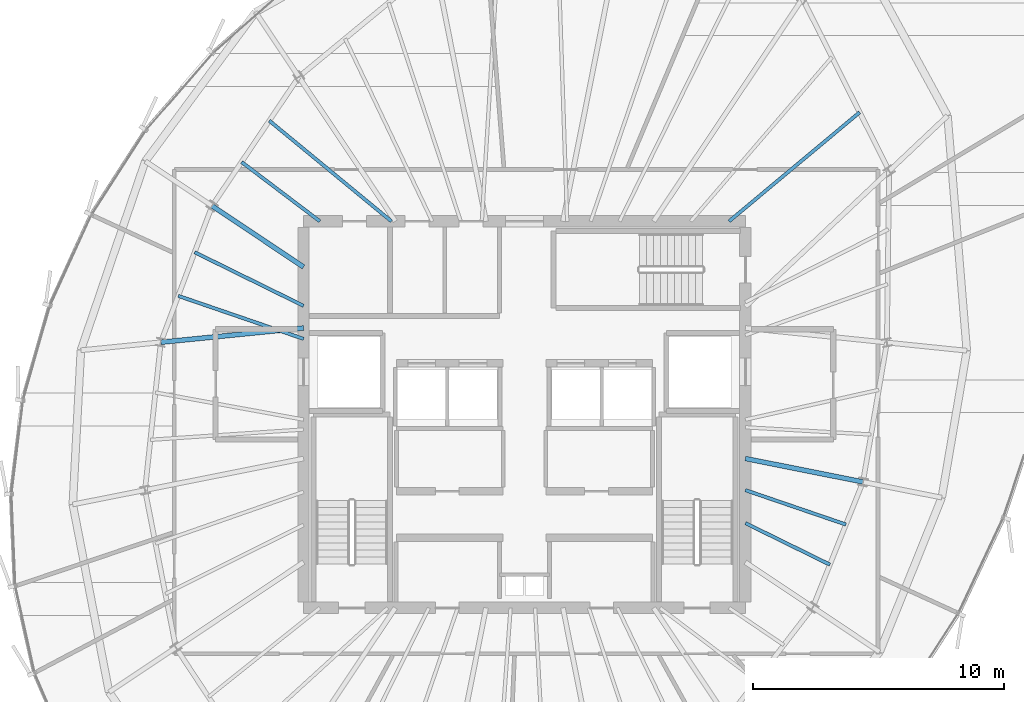
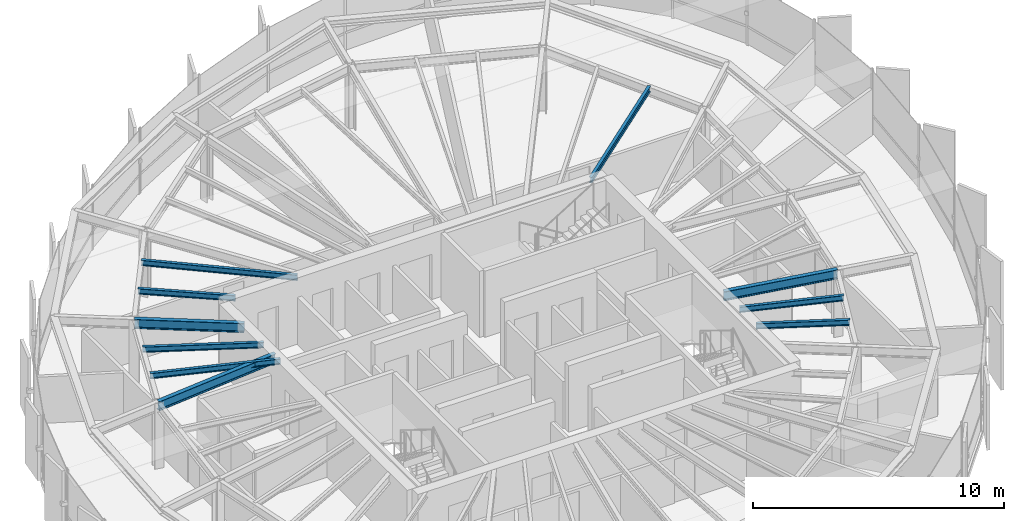
# One storey, part 12 of 35: 10 beams.
"""IFC4 building model written with IfcOpenShell, lengths in metres."""

from ifc_helpers import new_model, si_unit, direction, frame, origin, origin_2d, place, context, subcontext, project, spatial, i_section, extrude, source, transform, mapped, material, material_profile, profile_set, type_object, element, save


model = new_model("IFC4")

# Units and contexts
model_context = context("Model", 3, precision=1e-05, world=origin(), true_north=direction((0.0, 1.0)))
body_context = subcontext(model_context, "Body", "Model", "MODEL_VIEW")
ifc_project = project(units=[si_unit("LENGTHUNIT", "METRE"), si_unit("AREAUNIT", "SQUARE_METRE"), si_unit("VOLUMEUNIT", "CUBIC_METRE"), si_unit("PLANEANGLEUNIT", "RADIAN"), si_unit("MASSUNIT", "GRAM", prefix="KILO"), si_unit("THERMODYNAMICTEMPERATUREUNIT", "KELVIN")], contexts=[model_context])

# Site, building, storey
site_placement = place(None, origin())
site = spatial("IfcSite", under=ifc_project, at=site_placement, CompositionType="ELEMENT")
building_placement = place(site_placement, origin())
building = spatial("IfcBuilding", under=site, at=building_placement, Name="Kethvar Cultural Tower", CompositionType="ELEMENT")
storey_placement = place(building_placement, frame((0.0, 0.0, 249.10009765625)))
storey = spatial("IfcBuildingStorey", under=building, at=storey_placement, Name="L65", CompositionType="ELEMENT", Elevation=249.10009765625)

# Beams
ifc_material = material(Name="Steel S355J2", Category="steel")
ifc_material_profile_1 = material_profile(ifc_material, i_section(OverallWidth=0.18994140625, OverallDepth=0.449951171875, WebThickness=0.009521484375, FlangeThickness=0.0146484375, FilletRadius=0.02099609375, at=origin_2d()), Name="Steel S355J2 — IPE450")
ifc_profile_set_1 = profile_set([ifc_material_profile_1], Name="Steel S355J2 — IPE450")
beam_type_1 = type_object("IfcBeamType", Name="BM-IPE450", PredefinedType="BEAM", material=ifc_profile_set_1)
shared_shape_1 = source(origin(), body_context, "Body", "SweptSolid", [
    extrude(i_section(OverallWidth=0.18994140625, OverallDepth=0.449951171875, WebThickness=0.009521484375, FlangeThickness=0.0146484375, FilletRadius=0.02099609375, at=origin_2d()), origin(), (0.0, 0.0, 1.0), 4.3828125),
])
beam_1_placement = place(storey_placement, frame((38.0, 33.679931640625, 2.98291015625), z_axis=(-0.831449909861, 0.555599718676, 0.0), x_axis=(-0.555599718676, -0.831449909861, 0.0)))
element("IfcBeam", 1, at=beam_1_placement, inside=storey, type_object=beam_type_1, Name="L65 Primary Radial Beam RB-07", PredefinedType="BEAM", context=body_context, shape_type="MappedRepresentation", body=[
    mapped(shared_shape_1, transform((0.0, 0.0, 0.0), scale=1.0)),
])
shared_shape_2 = source(origin(), body_context, "Body", "SweptSolid", [
    extrude(i_section(OverallWidth=0.18994140625, OverallDepth=0.449951171875, WebThickness=0.009521484375, FlangeThickness=0.0146484375, FilletRadius=0.02099609375, at=origin_2d()), origin(), (0.0, 0.0, 1.0), 5.7158203125),
])
beam_2_placement = place(storey_placement, frame((38.0, 31.25, 2.98291015625), z_axis=(-0.995048179628, -0.099393763478, 0.0), x_axis=(0.099393763478, -0.995048179628, 0.0)))
element("IfcBeam", 2, at=beam_2_placement, inside=storey, type_object=beam_type_1, Name="L65 Primary Radial Beam RB-08", PredefinedType="BEAM", context=body_context, shape_type="MappedRepresentation", body=[
    mapped(shared_shape_2, transform((0.0, 0.0, 0.0), scale=1.0)),
])
shared_shape_3 = source(origin(), body_context, "Body", "SweptSolid", [
    extrude(i_section(OverallWidth=0.18994140625, OverallDepth=0.449951171875, WebThickness=0.009521484375, FlangeThickness=0.0146484375, FilletRadius=0.02099609375, at=origin_2d()), origin(), (0.0, 0.0, 1.0), 4.775390625),
])
beam_3_placement = place(storey_placement, frame((55.60009765625, 26.049560546875, 2.98291015625), z_axis=(0.980784643133, -0.195093525761, 0.0), x_axis=(0.195093525761, 0.980784643133, 0.0)))
element("IfcBeam", 3, at=beam_3_placement, inside=storey, type_object=beam_type_1, Name="L65 Primary Radial Beam RB-16", PredefinedType="BEAM", context=body_context, shape_type="MappedRepresentation", body=[
    mapped(shared_shape_3, transform((0.0, 0.0, 0.0), scale=1.0)),
])
ifc_material_profile_2 = material_profile(ifc_material, i_section(OverallWidth=0.135009765625, OverallDepth=0.27001953125, WebThickness=0.006591796875, FlangeThickness=0.01025390625, FilletRadius=0.014892578125, at=origin_2d()), Name="Steel S355J2 — IPE270")
ifc_profile_set_2 = profile_set([ifc_material_profile_2], Name="Steel S355J2 — IPE270")
beam_type_2 = type_object("IfcBeamType", Name="BM-J270", PredefinedType="JOIST", material=ifc_profile_set_2)
shared_shape_4 = source(origin(), body_context, "Body", "SweptSolid", [
    extrude(i_section(OverallWidth=0.135009765625, OverallDepth=0.27001953125, WebThickness=0.006591796875, FlangeThickness=0.01025390625, FilletRadius=0.014892578125, at=origin_2d()), origin(), (0.0, 0.0, 1.0), 6.776123046875),
])
beam_4_placement = place(storey_placement, frame((54.949951171875, 35.5, 3.072998046875), z_axis=(0.767801747857, 0.6406875026, 0.0), x_axis=(-0.6406875026, 0.767801747857, 0.0)))
element("IfcBeam", 4, at=beam_4_placement, inside=storey, type_object=beam_type_2, Name="L65 Composite Floor Joist J-02A", PredefinedType="JOIST", context=body_context, shape_type="MappedRepresentation", body=[
    mapped(shared_shape_4, transform((0.0, 0.0, 0.0), scale=1.0)),
])
shared_shape_5 = source(origin(), body_context, "Body", "SweptSolid", [
    extrude(i_section(OverallWidth=0.135009765625, OverallDepth=0.27001953125, WebThickness=0.006591796875, FlangeThickness=0.01025390625, FilletRadius=0.014892578125, at=origin_2d()), origin(), (0.0, 0.0, 1.0), 6.302978515625),
])
beam_5_placement = place(storey_placement, frame((41.5, 35.5, 3.072998046875), z_axis=(-0.771828477148, 0.635830796567, 0.0), x_axis=(-0.635830796567, -0.771828477148, 0.0)))
element("IfcBeam", 5, at=beam_5_placement, inside=storey, type_object=beam_type_2, Name="L65 Composite Floor Joist J-06A", PredefinedType="JOIST", context=body_context, shape_type="MappedRepresentation", body=[
    mapped(shared_shape_5, transform((0.0, 0.0, 0.0), scale=1.0)),
])
shared_shape_6 = source(origin(), body_context, "Body", "SweptSolid", [
    extrude(i_section(OverallWidth=0.135009765625, OverallDepth=0.27001953125, WebThickness=0.006591796875, FlangeThickness=0.01025390625, FilletRadius=0.014892578125, at=origin_2d()), origin(), (0.0, 0.0, 1.0), 3.91357421875),
])
beam_6_placement = place(storey_placement, frame((38.64990234375, 35.5, 3.072998046875), z_axis=(-0.797214062325, 0.603696727531, 0.0), x_axis=(-0.603696727531, -0.797214062325, 0.0)))
element("IfcBeam", 6, at=beam_6_placement, inside=storey, type_object=beam_type_2, Name="L65 Composite Floor Joist J-06B", PredefinedType="JOIST", context=body_context, shape_type="MappedRepresentation", body=[
    mapped(shared_shape_6, transform((0.0, 0.0, 0.0), scale=1.0)),
])
shared_shape_7 = source(origin(), body_context, "Body", "SweptSolid", [
    extrude(i_section(OverallWidth=0.135009765625, OverallDepth=0.27001953125, WebThickness=0.006591796875, FlangeThickness=0.01025390625, FilletRadius=0.014892578125, at=origin_2d()), origin(), (0.0, 0.0, 1.0), 4.8359375),
])
beam_7_placement = place(storey_placement, frame((38.0, 32.1318359375, 3.072998046875), z_axis=(-0.897196527088, 0.441631511308, 0.0), x_axis=(-0.441631511308, -0.897196527088, 0.0)))
element("IfcBeam", 7, at=beam_7_placement, inside=storey, type_object=beam_type_2, Name="L65 Composite Floor Joist J-07A", PredefinedType="JOIST", context=body_context, shape_type="MappedRepresentation", body=[
    mapped(shared_shape_7, transform((0.0, 0.0, 0.0), scale=1.0)),
])
shared_shape_8 = source(origin(), body_context, "Body", "SweptSolid", [
    extrude(i_section(OverallWidth=0.135009765625, OverallDepth=0.27001953125, WebThickness=0.006591796875, FlangeThickness=0.01025390625, FilletRadius=0.014892578125, at=origin_2d()), origin(), (0.0, 0.0, 1.0), 5.2783203125),
])
beam_8_placement = place(storey_placement, frame((38.0, 30.817138671875, 3.072998046875), z_axis=(-0.945942702368, 0.324333784607, 0.0), x_axis=(-0.324333784607, -0.945942702368, 0.0)))
element("IfcBeam", 8, at=beam_8_placement, inside=storey, type_object=beam_type_2, Name="L65 Composite Floor Joist J-07B", PredefinedType="JOIST", context=body_context, shape_type="MappedRepresentation", body=[
    mapped(shared_shape_8, transform((0.0, 0.0, 0.0), scale=1.0)),
])
shared_shape_9 = source(origin(), body_context, "Body", "SweptSolid", [
    extrude(i_section(OverallWidth=0.135009765625, OverallDepth=0.27001953125, WebThickness=0.006591796875, FlangeThickness=0.01025390625, FilletRadius=0.014892578125, at=origin_2d()), origin(), (0.0, 0.0, 1.0), 3.75),
])
beam_9_placement = place(storey_placement, frame((55.60009765625, 23.476318359375, 3.072998046875), z_axis=(0.8975046019, -0.441005090184, 0.0), x_axis=(0.441005090184, 0.8975046019, 0.0)))
element("IfcBeam", 9, at=beam_9_placement, inside=storey, type_object=beam_type_2, Name="L65 Composite Floor Joist J-15A", PredefinedType="JOIST", context=body_context, shape_type="MappedRepresentation", body=[
    mapped(shared_shape_9, transform((0.0, 0.0, 0.0), scale=1.0)),
])
shared_shape_10 = source(origin(), body_context, "Body", "SweptSolid", [
    extrude(i_section(OverallWidth=0.135009765625, OverallDepth=0.27001953125, WebThickness=0.006591796875, FlangeThickness=0.01025390625, FilletRadius=0.014892578125, at=origin_2d()), origin(), (0.0, 0.0, 1.0), 4.232421875),
])
beam_10_placement = place(storey_placement, frame((55.60009765625, 24.7900390625, 3.072998046875), z_axis=(0.946173747357, -0.323659141402, 0.0), x_axis=(0.323659141402, 0.946173747357, 0.0)))
element("IfcBeam", 10, at=beam_10_placement, inside=storey, type_object=beam_type_2, Name="L65 Composite Floor Joist J-15B", PredefinedType="JOIST", context=body_context, shape_type="MappedRepresentation", body=[
    mapped(shared_shape_10, transform((0.0, 0.0, 0.0), scale=1.0)),
])

save(model, "model.ifc")
